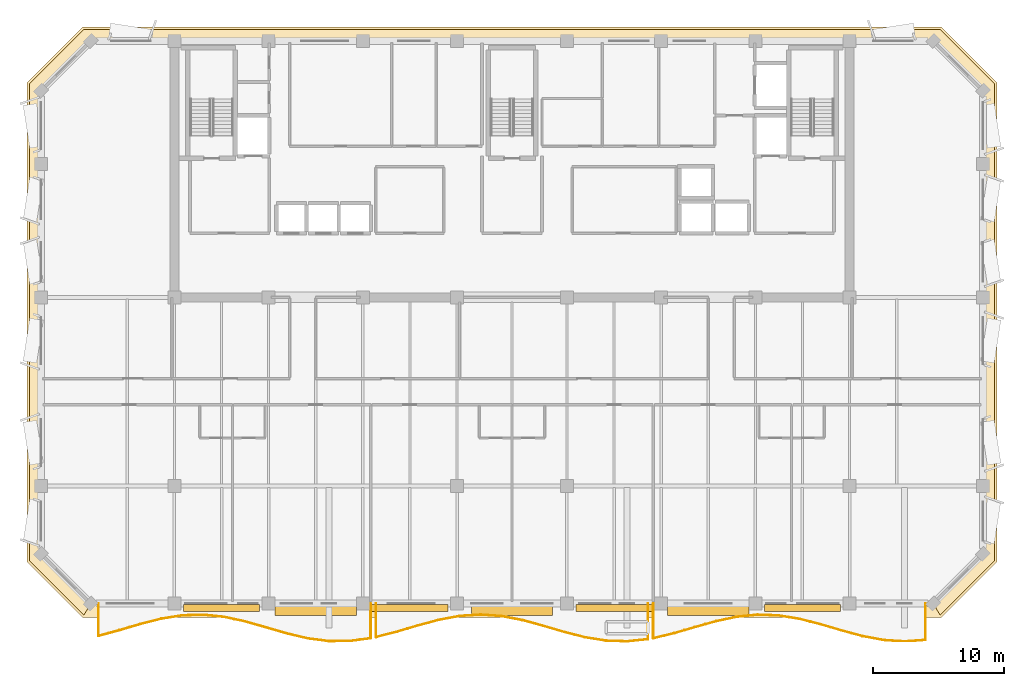
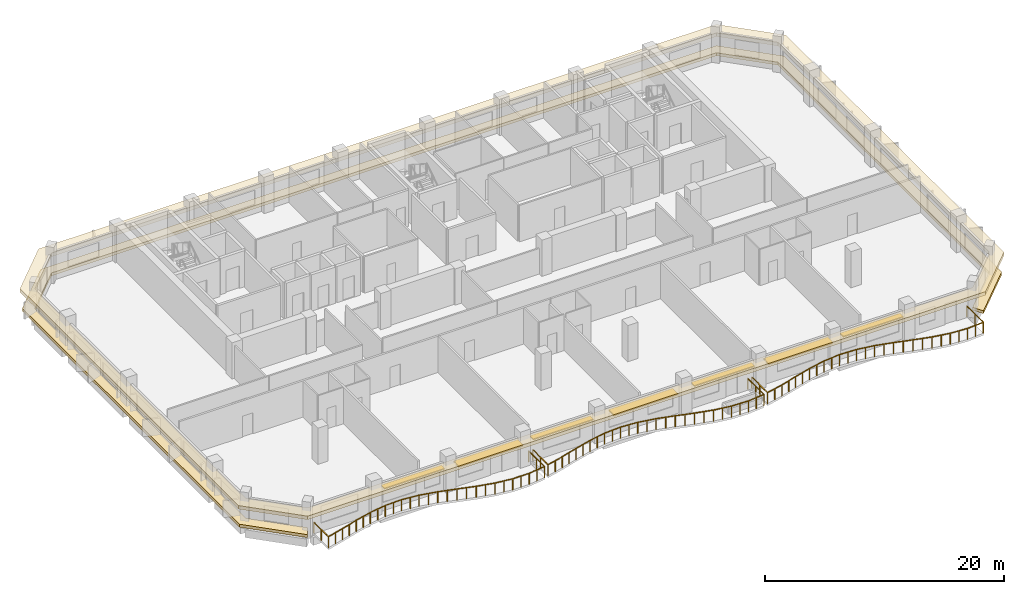
# One storey, part 8 of 10: 7 shading devices, 3 railings, 2 coverings.
"""IFC4 building model written with IfcOpenShell, lengths in metres."""

from ifc_helpers import new_model, si_unit, direction, frame, origin, origin_2d, place, context, subcontext, project, spatial, polyline, rectangle, outline, extrude, material, layer, layer_set, type_object, element, save


model = new_model("IFC4")

# Units and contexts
model_context = context("Model", 3, precision=1e-05, world=origin(), true_north=direction((0.0, 1.0)))
body_context = subcontext(model_context, "Body", "Model", "MODEL_VIEW")
ifc_project = project(units=[si_unit("LENGTHUNIT", "METRE"), si_unit("AREAUNIT", "SQUARE_METRE"), si_unit("VOLUMEUNIT", "CUBIC_METRE"), si_unit("PLANEANGLEUNIT", "RADIAN"), si_unit("MASSUNIT", "GRAM", prefix="KILO")], contexts=[model_context])

# Site, building, storey
site_placement = place(None, origin())
site = spatial("IfcSite", under=ifc_project, at=site_placement, CompositionType="ELEMENT")
building_placement = place(site_placement, origin())
building = spatial("IfcBuilding", under=site, at=building_placement, Name="Kaelvorn Grand Hotel", CompositionType="ELEMENT")
storey_placement = place(building_placement, frame((0.0, 0.0, 260.75)))
storey = spatial("IfcBuildingStorey", under=building, at=storey_placement, Name="L64", CompositionType="ELEMENT", Elevation=260.75)

# Coverings
ifc_material_1 = material(Name="Precast concrete C45/55", Category="concrete")
ifc_layer_1 = layer(ifc_material_1, 0.260009765625)
ifc_layer_set_1 = layer_set([ifc_layer_1], Name="Precast concrete C45/55")
covering_type_1 = type_object("IfcCoveringType", Name="COV-BAND-STREAMLINE-HEAD", PredefinedType="CLADDING", material=ifc_layer_set_1)
covering_1_placement = place(storey_placement, frame((0.0, 0.0, 2.419921875)))
element("IfcCovering", 1, at=covering_1_placement, inside=storey, type_object=covering_type_1, Name="L64 Streamline Moderne Wraparound Horizontal Eyebrow Band", PredefinedType="CLADDING", context=body_context, shape_type="SweptSolid", body=[
    extrude(outline(polyline([(9.18994140625, 4.949951171875), (74.81005859375, 4.949951171875), (79.050048828125, 9.18994140625), (79.050048828125, 45.81005859375), (74.81005859375, 50.050048828125), (9.18994140625, 50.050048828125), (4.949951171875, 45.81005859375), (4.949951171875, 9.18994140625), (9.18994140625, 4.949951171875)]), holes=[polyline([(9.820068359375, 6.030029296875), (74.179931640625, 6.030029296875), (77.969970703125, 9.820068359375), (77.969970703125, 45.179931640625), (74.179931640625, 48.969970703125), (9.820068359375, 48.969970703125), (6.030029296875, 45.179931640625), (6.030029296875, 9.820068359375), (9.820068359375, 6.030029296875)])]), origin(), (0.0, 0.0, 1.0), 0.360107421875),
])
ifc_layer_2 = layer(ifc_material_1, 0.219970703125)
ifc_layer_set_2 = layer_set([ifc_layer_2], Name="Precast concrete C45/55")
covering_type_2 = type_object("IfcCoveringType", Name="COV-BAND-STREAMLINE-SILL", PredefinedType="CLADDING", material=ifc_layer_set_2)
covering_2_placement = place(storey_placement, frame((0.0, 0.0, 0.449951171875)))
element("IfcCovering", 2, at=covering_2_placement, inside=storey, type_object=covering_type_2, Name="L64 Streamline Moderne Wraparound Horizontal Sill Spandrel Band", PredefinedType="CLADDING", context=body_context, shape_type="SweptSolid", body=[
    extrude(outline(polyline([(74.715576171875, 5.1201171875), (78.8798828125, 9.284423828125), (78.8798828125, 45.715576171875), (74.715576171875, 49.8798828125), (9.284423828125, 49.8798828125), (5.1201171875, 45.715576171875), (5.1201171875, 9.284423828125), (9.284423828125, 5.1201171875), (9.817626953125, 6.030029296875), (6.030029296875, 9.817626953125), (6.030029296875, 45.182373046875), (9.817626953125, 48.969970703125), (74.182373046875, 48.969970703125), (77.969970703125, 45.182373046875), (77.969970703125, 9.817626953125), (74.182373046875, 6.030029296875), (74.715576171875, 5.1201171875)])), origin(), (0.0, 0.0, 1.0), 0.300048828125),
])

# Railings
ifc_material_2 = material(Name="Stainless Steel", Category="steel")
railing_type = type_object("IfcRailingType", Name="RL-BALC-1150", PredefinedType="BALUSTRADE", material=ifc_material_2)
railing_1_placement = place(storey_placement, frame((10.39990234375, 6.0, 0.0)))
element("IfcRailing", 3, at=railing_1_placement, inside=storey, type_object=railing_type, Name="L64 Scalloped Wave Balcony Balustrade GR1-1", PredefinedType="BALUSTRADE", context=body_context, shape_type="SweptSolid", body=[
    extrude(rectangle(XDim=0.048095703125, YDim=0.048095703125, at=origin_2d()), frame((0.0, 0.0, 1.1259765625), z_axis=(0.0, -1.0, 0.0), x_axis=(1.0, 0.0, 0.0)), (0.0, 0.0, 1.0), 2.4775390625),
    extrude(rectangle(XDim=0.048095703125, YDim=0.048095703125, at=origin_2d()), frame((0.0, -2.4775390625, 1.1259765625), z_axis=(0.964780804406, 0.263055126255, 0.0), x_axis=(-0.263055126255, 0.964780804406, 0.0)), (0.0, 0.0, 1.0), 1.658447265625),
    extrude(rectangle(XDim=0.048095703125, YDim=0.048095703125, at=origin_2d()), frame((1.60009765625, -2.041259765625, 1.1259765625), z_axis=(0.959192869064, 0.282752612608, 0.0), x_axis=(-0.282752612608, 0.959192869064, 0.0)), (0.0, 0.0, 1.0), 1.668212890625),
    extrude(rectangle(XDim=0.048095703125, YDim=0.048095703125, at=origin_2d()), frame((3.2001953125, -1.569580078125, 1.1259765625), z_axis=(0.969204438811, 0.24625749895, 0.0), x_axis=(-0.24625749895, 0.969204438811, 0.0)), (0.0, 0.0, 1.0), 1.650634765625),
    extrude(rectangle(XDim=0.048095703125, YDim=0.048095703125, at=origin_2d()), frame((4.800048828125, -1.1630859375, 1.1259765625), z_axis=(0.987502610882, 0.157602644337, 0.0), x_axis=(-0.157602644337, 0.987502610882, 0.0)), (0.0, 0.0, 1.0), 1.620361328125),
    extrude(rectangle(XDim=0.048095703125, YDim=0.048095703125, at=origin_2d()), frame((6.400146484375, -0.90771484375, 1.1259765625), z_axis=(0.999525230254, 0.030810941021, 0.0), x_axis=(-0.030810941021, 0.999525230254, 0.0)), (0.0, 0.0, 1.0), 1.6005859375),
    extrude(rectangle(XDim=0.048095703125, YDim=0.048095703125, at=origin_2d()), frame((8.0, -0.8583984375, 1.1259765625), z_axis=(0.994613846753, -0.103649871427, 0.0), x_axis=(0.103649871427, 0.994613846753, 0.0)), (0.0, 0.0, 1.0), 1.608642578125),
    extrude(rectangle(XDim=0.048095703125, YDim=0.048095703125, at=origin_2d()), frame((9.60009765625, -1.025146484375, 1.1259765625), z_axis=(0.977200579572, -0.212318221744, 0.0), x_axis=(0.212318221744, 0.977200579572, 0.0)), (0.0, 0.0, 1.0), 1.637451171875),
    extrude(rectangle(XDim=0.048095703125, YDim=0.048095703125, at=origin_2d()), frame((11.2001953125, -1.372802734375, 1.1259765625), z_axis=(0.961921762904, -0.273324938582, 0.0), x_axis=(0.273324938582, 0.961921762904, 0.0)), (0.0, 0.0, 1.0), 1.6630859375),
    extrude(rectangle(XDim=0.048095703125, YDim=0.048095703125, at=origin_2d()), frame((12.800048828125, -1.827392578125, 1.1259765625), z_axis=(0.960337367156, -0.278840709444, 0.0), x_axis=(0.278840709444, 0.960337367156, 0.0)), (0.0, 0.0, 1.0), 1.666259765625),
    extrude(rectangle(XDim=0.048095703125, YDim=0.048095703125, at=origin_2d()), frame((14.400146484375, -2.2919921875, 1.1259765625), z_axis=(0.973512551729, -0.228633575021, 0.0), x_axis=(0.228633575021, 0.973512551729, 0.0)), (0.0, 0.0, 1.0), 1.643310546875),
    extrude(rectangle(XDim=0.048095703125, YDim=0.048095703125, at=origin_2d()), frame((16.0, -2.667724609375, 1.1259765625), z_axis=(0.991713934243, -0.12846584226, 0.0), x_axis=(0.12846584226, 0.991713934243, 0.0)), (0.0, 0.0, 1.0), 1.613525390625),
    extrude(rectangle(XDim=0.048095703125, YDim=0.048095703125, at=origin_2d()), frame((17.60009765625, -2.875, 1.1259765625), z_axis=(0.999994366234, 0.003356709804, 0.0), x_axis=(-0.003356709804, 0.999994366234, 0.0)), (0.0, 0.0, 1.0), 1.60009765625),
    extrude(rectangle(XDim=0.048095703125, YDim=0.048095703125, at=origin_2d()), frame((19.2001953125, -2.86962890625, 1.1259765625), z_axis=(0.990922872084, 0.134431624185, 0.0), x_axis=(-0.134431624185, 0.990922872084, 0.0)), (0.0, 0.0, 1.0), 1.614501953125),
    extrude(rectangle(XDim=0.048095703125, YDim=0.048095703125, at=origin_2d()), frame((20.800048828125, -2.652587890625, 1.1259765625), z_axis=(0.0, 1.0, 0.0), x_axis=(-1.0, 0.0, 0.0)), (0.0, 0.0, 1.0), 2.652587890625),
    extrude(rectangle(XDim=0.0419921875, YDim=0.0419921875, at=origin_2d()), origin(), (0.0, 0.0, 1.0), 1.101806640625),
    extrude(rectangle(XDim=0.0419921875, YDim=0.0419921875, at=origin_2d()), frame((0.0, -1.23876953125, 0.0)), (0.0, 0.0, 1.0), 1.101806640625),
    extrude(rectangle(XDim=0.0419921875, YDim=0.0419921875, at=origin_2d()), frame((0.0, -2.4775390625, 0.0)), (0.0, 0.0, 1.0), 1.101806640625),
    extrude(rectangle(XDim=0.0419921875, YDim=0.0419921875, at=origin_2d()), frame((0.800048828125, -2.25927734375, 0.0)), (0.0, 0.0, 1.0), 1.101806640625),
    extrude(rectangle(XDim=0.0419921875, YDim=0.0419921875, at=origin_2d()), frame((1.60009765625, -2.041259765625, 0.0)), (0.0, 0.0, 1.0), 1.101806640625),
    extrude(rectangle(XDim=0.0419921875, YDim=0.0419921875, at=origin_2d()), frame((2.400146484375, -1.805419921875, 0.0)), (0.0, 0.0, 1.0), 1.101806640625),
    extrude(rectangle(XDim=0.0419921875, YDim=0.0419921875, at=origin_2d()), frame((3.2001953125, -1.569580078125, 0.0)), (0.0, 0.0, 1.0), 1.101806640625),
    extrude(rectangle(XDim=0.0419921875, YDim=0.0419921875, at=origin_2d()), frame((4.0, -1.3662109375, 0.0)), (0.0, 0.0, 1.0), 1.101806640625),
    extrude(rectangle(XDim=0.0419921875, YDim=0.0419921875, at=origin_2d()), frame((4.800048828125, -1.1630859375, 0.0)), (0.0, 0.0, 1.0), 1.101806640625),
    extrude(rectangle(XDim=0.0419921875, YDim=0.0419921875, at=origin_2d()), frame((5.60009765625, -1.035400390625, 0.0)), (0.0, 0.0, 1.0), 1.101806640625),
    extrude(rectangle(XDim=0.0419921875, YDim=0.0419921875, at=origin_2d()), frame((6.400146484375, -0.90771484375, 0.0)), (0.0, 0.0, 1.0), 1.101806640625),
    extrude(rectangle(XDim=0.0419921875, YDim=0.0419921875, at=origin_2d()), frame((7.2001953125, -0.883056640625, 0.0)), (0.0, 0.0, 1.0), 1.101806640625),
    extrude(rectangle(XDim=0.0419921875, YDim=0.0419921875, at=origin_2d()), frame((8.0, -0.8583984375, 0.0)), (0.0, 0.0, 1.0), 1.101806640625),
    extrude(rectangle(XDim=0.0419921875, YDim=0.0419921875, at=origin_2d()), frame((8.800048828125, -0.94189453125, 0.0)), (0.0, 0.0, 1.0), 1.101806640625),
    extrude(rectangle(XDim=0.0419921875, YDim=0.0419921875, at=origin_2d()), frame((9.60009765625, -1.025146484375, 0.0)), (0.0, 0.0, 1.0), 1.101806640625),
    extrude(rectangle(XDim=0.0419921875, YDim=0.0419921875, at=origin_2d()), frame((10.400146484375, -1.198974609375, 0.0)), (0.0, 0.0, 1.0), 1.101806640625),
    extrude(rectangle(XDim=0.0419921875, YDim=0.0419921875, at=origin_2d()), frame((11.2001953125, -1.372802734375, 0.0)), (0.0, 0.0, 1.0), 1.101806640625),
    extrude(rectangle(XDim=0.0419921875, YDim=0.0419921875, at=origin_2d()), frame((12.0, -1.60009765625, 0.0)), (0.0, 0.0, 1.0), 1.101806640625),
    extrude(rectangle(XDim=0.0419921875, YDim=0.0419921875, at=origin_2d()), frame((12.800048828125, -1.827392578125, 0.0)), (0.0, 0.0, 1.0), 1.101806640625),
    extrude(rectangle(XDim=0.0419921875, YDim=0.0419921875, at=origin_2d()), frame((13.60009765625, -2.0595703125, 0.0)), (0.0, 0.0, 1.0), 1.101806640625),
    extrude(rectangle(XDim=0.0419921875, YDim=0.0419921875, at=origin_2d()), frame((14.400146484375, -2.2919921875, 0.0)), (0.0, 0.0, 1.0), 1.101806640625),
    extrude(rectangle(XDim=0.0419921875, YDim=0.0419921875, at=origin_2d()), frame((15.2001953125, -2.47998046875, 0.0)), (0.0, 0.0, 1.0), 1.101806640625),
    extrude(rectangle(XDim=0.0419921875, YDim=0.0419921875, at=origin_2d()), frame((16.0, -2.667724609375, 0.0)), (0.0, 0.0, 1.0), 1.101806640625),
    extrude(rectangle(XDim=0.0419921875, YDim=0.0419921875, at=origin_2d()), frame((16.800048828125, -2.771484375, 0.0)), (0.0, 0.0, 1.0), 1.101806640625),
    extrude(rectangle(XDim=0.0419921875, YDim=0.0419921875, at=origin_2d()), frame((17.60009765625, -2.875, 0.0)), (0.0, 0.0, 1.0), 1.101806640625),
    extrude(rectangle(XDim=0.0419921875, YDim=0.0419921875, at=origin_2d()), frame((18.400146484375, -2.872314453125, 0.0)), (0.0, 0.0, 1.0), 1.101806640625),
    extrude(rectangle(XDim=0.0419921875, YDim=0.0419921875, at=origin_2d()), frame((19.2001953125, -2.86962890625, 0.0)), (0.0, 0.0, 1.0), 1.101806640625),
    extrude(rectangle(XDim=0.0419921875, YDim=0.0419921875, at=origin_2d()), frame((20.0, -2.76123046875, 0.0)), (0.0, 0.0, 1.0), 1.101806640625),
    extrude(rectangle(XDim=0.0419921875, YDim=0.0419921875, at=origin_2d()), frame((20.800048828125, -2.652587890625, 0.0)), (0.0, 0.0, 1.0), 1.101806640625),
    extrude(rectangle(XDim=0.0419921875, YDim=0.0419921875, at=origin_2d()), frame((20.800048828125, -1.326171875, 0.0)), (0.0, 0.0, 1.0), 1.101806640625),
    extrude(rectangle(XDim=0.0419921875, YDim=0.0419921875, at=origin_2d()), frame((20.800048828125, 0.0, 0.0)), (0.0, 0.0, 1.0), 1.101806640625),
])
railing_2_placement = place(storey_placement, frame((31.60009765625, 6.0, 0.0)))
element("IfcRailing", 4, at=railing_2_placement, inside=storey, type_object=railing_type, Name="L64 Scalloped Wave Balcony Balustrade GR1-2", PredefinedType="BALUSTRADE", context=body_context, shape_type="SweptSolid", body=[
    extrude(rectangle(XDim=0.048095703125, YDim=0.048095703125, at=origin_2d()), frame((0.0, 0.0, 1.1259765625), z_axis=(0.0, -1.0, 0.0), x_axis=(1.0, 0.0, 0.0)), (0.0, 0.0, 1.0), 2.569580078125),
    extrude(rectangle(XDim=0.048095703125, YDim=0.048095703125, at=origin_2d()), frame((0.0, -2.569580078125, 1.1259765625), z_axis=(0.968387953871, 0.249448934249, 0.0), x_axis=(-0.249448934249, 0.968387953871, 0.0)), (0.0, 0.0, 1.0), 1.652099609375),
    extrude(rectangle(XDim=0.048095703125, YDim=0.048095703125, at=origin_2d()), frame((1.599853515625, -2.157470703125, 1.1259765625), z_axis=(0.959113452177, 0.283021882287, 0.0), x_axis=(-0.283021882287, 0.959113452177, 0.0)), (0.0, 0.0, 1.0), 1.668212890625),
    extrude(rectangle(XDim=0.048095703125, YDim=0.048095703125, at=origin_2d()), frame((3.199951171875, -1.685302734375, 1.1259765625), z_axis=(0.965440575101, 0.260623283588, 0.0), x_axis=(-0.260623283588, 0.965440575101, 0.0)), (0.0, 0.0, 1.0), 1.6572265625),
    extrude(rectangle(XDim=0.048095703125, YDim=0.048095703125, at=origin_2d()), frame((4.7998046875, -1.25341796875, 1.1259765625), z_axis=(0.982923083623, 0.184016878792, 0.0), x_axis=(-0.184016878792, 0.982923083623, 0.0)), (0.0, 0.0, 1.0), 1.6279296875),
    extrude(rectangle(XDim=0.048095703125, YDim=0.048095703125, at=origin_2d()), frame((6.39990234375, -0.953857421875, 1.1259765625), z_axis=(0.997904112488, 0.064709985933, 0.0), x_axis=(-0.064709985933, 0.997904112488, 0.0)), (0.0, 0.0, 1.0), 1.603515625),
    extrude(rectangle(XDim=0.048095703125, YDim=0.048095703125, at=origin_2d()), frame((8.0, -0.85009765625, 1.1259765625), z_axis=(0.997459472433, -0.071236232733, 0.0), x_axis=(0.071236232733, 0.997459472433, 0.0)), (0.0, 0.0, 1.0), 1.60400390625),
    extrude(rectangle(XDim=0.048095703125, YDim=0.048095703125, at=origin_2d()), frame((9.599853515625, -0.96435546875, 1.1259765625), z_axis=(0.981961535476, -0.189080783914, 0.0), x_axis=(0.189080783914, 0.981961535476, 0.0)), (0.0, 0.0, 1.0), 1.62939453125),
    extrude(rectangle(XDim=0.048095703125, YDim=0.048095703125, at=origin_2d()), frame((11.199951171875, -1.2724609375, 1.1259765625), z_axis=(0.964770615953, -0.26309249057, 0.0), x_axis=(0.26309249057, 0.964770615953, 0.0)), (0.0, 0.0, 1.0), 1.658203125),
    extrude(rectangle(XDim=0.048095703125, YDim=0.048095703125, at=origin_2d()), frame((12.7998046875, -1.708740234375, 1.1259765625), z_axis=(0.959192869064, -0.282752612608, 0.0), x_axis=(0.282752612608, 0.959192869064, 0.0)), (0.0, 0.0, 1.0), 1.668212890625),
    extrude(rectangle(XDim=0.048095703125, YDim=0.048095703125, at=origin_2d()), frame((14.39990234375, -2.180419921875, 1.1259765625), z_axis=(0.969213406092, -0.246222203409, 0.0), x_axis=(0.246222203409, 0.969213406092, 0.0)), (0.0, 0.0, 1.0), 1.65087890625),
    extrude(rectangle(XDim=0.048095703125, YDim=0.048095703125, at=origin_2d()), frame((16.0, -2.5869140625, 1.1259765625), z_axis=(0.987498867572, -0.157626097281, 0.0), x_axis=(0.157626097281, 0.987498867572, 0.0)), (0.0, 0.0, 1.0), 1.6201171875),
    extrude(rectangle(XDim=0.048095703125, YDim=0.048095703125, at=origin_2d()), frame((17.599853515625, -2.84228515625, 1.1259765625), z_axis=(0.999525375019, -0.030806244393, 0.0), x_axis=(0.030806244393, 0.999525375019, 0.0)), (0.0, 0.0, 1.0), 1.600830078125),
    extrude(rectangle(XDim=0.048095703125, YDim=0.048095703125, at=origin_2d()), frame((19.199951171875, -2.8916015625, 1.1259765625), z_axis=(0.994612216016, 0.103665518623, 0.0), x_axis=(-0.103665518623, 0.994612216016, 0.0)), (0.0, 0.0, 1.0), 1.6083984375),
    extrude(rectangle(XDim=0.048095703125, YDim=0.048095703125, at=origin_2d()), frame((20.7998046875, -2.724853515625, 1.1259765625), z_axis=(0.0, 1.0, 0.0), x_axis=(-1.0, 0.0, 0.0)), (0.0, 0.0, 1.0), 2.724853515625),
    extrude(rectangle(XDim=0.0419921875, YDim=0.0419921875, at=origin_2d()), origin(), (0.0, 0.0, 1.0), 1.101806640625),
    extrude(rectangle(XDim=0.0419921875, YDim=0.0419921875, at=origin_2d()), frame((0.0, -1.28466796875, 0.0)), (0.0, 0.0, 1.0), 1.101806640625),
    extrude(rectangle(XDim=0.0419921875, YDim=0.0419921875, at=origin_2d()), frame((0.0, -2.569580078125, 0.0)), (0.0, 0.0, 1.0), 1.101806640625),
    extrude(rectangle(XDim=0.0419921875, YDim=0.0419921875, at=origin_2d()), frame((0.7998046875, -2.363525390625, 0.0)), (0.0, 0.0, 1.0), 1.101806640625),
    extrude(rectangle(XDim=0.0419921875, YDim=0.0419921875, at=origin_2d()), frame((1.599853515625, -2.157470703125, 0.0)), (0.0, 0.0, 1.0), 1.101806640625),
    extrude(rectangle(XDim=0.0419921875, YDim=0.0419921875, at=origin_2d()), frame((2.39990234375, -1.92138671875, 0.0)), (0.0, 0.0, 1.0), 1.101806640625),
    extrude(rectangle(XDim=0.0419921875, YDim=0.0419921875, at=origin_2d()), frame((3.199951171875, -1.685302734375, 0.0)), (0.0, 0.0, 1.0), 1.101806640625),
    extrude(rectangle(XDim=0.0419921875, YDim=0.0419921875, at=origin_2d()), frame((4.0, -1.46923828125, 0.0)), (0.0, 0.0, 1.0), 1.101806640625),
    extrude(rectangle(XDim=0.0419921875, YDim=0.0419921875, at=origin_2d()), frame((4.7998046875, -1.25341796875, 0.0)), (0.0, 0.0, 1.0), 1.101806640625),
    extrude(rectangle(XDim=0.0419921875, YDim=0.0419921875, at=origin_2d()), frame((5.599853515625, -1.103515625, 0.0)), (0.0, 0.0, 1.0), 1.101806640625),
    extrude(rectangle(XDim=0.0419921875, YDim=0.0419921875, at=origin_2d()), frame((6.39990234375, -0.953857421875, 0.0)), (0.0, 0.0, 1.0), 1.101806640625),
    extrude(rectangle(XDim=0.0419921875, YDim=0.0419921875, at=origin_2d()), frame((7.199951171875, -0.90185546875, 0.0)), (0.0, 0.0, 1.0), 1.101806640625),
    extrude(rectangle(XDim=0.0419921875, YDim=0.0419921875, at=origin_2d()), frame((8.0, -0.85009765625, 0.0)), (0.0, 0.0, 1.0), 1.101806640625),
    extrude(rectangle(XDim=0.0419921875, YDim=0.0419921875, at=origin_2d()), frame((8.7998046875, -0.9072265625, 0.0)), (0.0, 0.0, 1.0), 1.101806640625),
    extrude(rectangle(XDim=0.0419921875, YDim=0.0419921875, at=origin_2d()), frame((9.599853515625, -0.96435546875, 0.0)), (0.0, 0.0, 1.0), 1.101806640625),
    extrude(rectangle(XDim=0.0419921875, YDim=0.0419921875, at=origin_2d()), frame((10.39990234375, -1.118408203125, 0.0)), (0.0, 0.0, 1.0), 1.101806640625),
    extrude(rectangle(XDim=0.0419921875, YDim=0.0419921875, at=origin_2d()), frame((11.199951171875, -1.2724609375, 0.0)), (0.0, 0.0, 1.0), 1.101806640625),
    extrude(rectangle(XDim=0.0419921875, YDim=0.0419921875, at=origin_2d()), frame((12.0, -1.49072265625, 0.0)), (0.0, 0.0, 1.0), 1.101806640625),
    extrude(rectangle(XDim=0.0419921875, YDim=0.0419921875, at=origin_2d()), frame((12.7998046875, -1.708740234375, 0.0)), (0.0, 0.0, 1.0), 1.101806640625),
    extrude(rectangle(XDim=0.0419921875, YDim=0.0419921875, at=origin_2d()), frame((13.599853515625, -1.944580078125, 0.0)), (0.0, 0.0, 1.0), 1.101806640625),
    extrude(rectangle(XDim=0.0419921875, YDim=0.0419921875, at=origin_2d()), frame((14.39990234375, -2.180419921875, 0.0)), (0.0, 0.0, 1.0), 1.101806640625),
    extrude(rectangle(XDim=0.0419921875, YDim=0.0419921875, at=origin_2d()), frame((15.199951171875, -2.3837890625, 0.0)), (0.0, 0.0, 1.0), 1.101806640625),
    extrude(rectangle(XDim=0.0419921875, YDim=0.0419921875, at=origin_2d()), frame((16.0, -2.5869140625, 0.0)), (0.0, 0.0, 1.0), 1.101806640625),
    extrude(rectangle(XDim=0.0419921875, YDim=0.0419921875, at=origin_2d()), frame((16.7998046875, -2.714599609375, 0.0)), (0.0, 0.0, 1.0), 1.101806640625),
    extrude(rectangle(XDim=0.0419921875, YDim=0.0419921875, at=origin_2d()), frame((17.599853515625, -2.84228515625, 0.0)), (0.0, 0.0, 1.0), 1.101806640625),
    extrude(rectangle(XDim=0.0419921875, YDim=0.0419921875, at=origin_2d()), frame((18.39990234375, -2.866943359375, 0.0)), (0.0, 0.0, 1.0), 1.101806640625),
    extrude(rectangle(XDim=0.0419921875, YDim=0.0419921875, at=origin_2d()), frame((19.199951171875, -2.8916015625, 0.0)), (0.0, 0.0, 1.0), 1.101806640625),
    extrude(rectangle(XDim=0.0419921875, YDim=0.0419921875, at=origin_2d()), frame((20.0, -2.80810546875, 0.0)), (0.0, 0.0, 1.0), 1.101806640625),
    extrude(rectangle(XDim=0.0419921875, YDim=0.0419921875, at=origin_2d()), frame((20.7998046875, -2.724853515625, 0.0)), (0.0, 0.0, 1.0), 1.101806640625),
    extrude(rectangle(XDim=0.0419921875, YDim=0.0419921875, at=origin_2d()), frame((20.7998046875, -1.3623046875, 0.0)), (0.0, 0.0, 1.0), 1.101806640625),
    extrude(rectangle(XDim=0.0419921875, YDim=0.0419921875, at=origin_2d()), frame((20.7998046875, 0.0, 0.0)), (0.0, 0.0, 1.0), 1.101806640625),
])
railing_3_placement = place(storey_placement, frame((52.800048828125, 6.0, 0.0)))
element("IfcRailing", 5, at=railing_3_placement, inside=storey, type_object=railing_type, Name="L64 Scalloped Wave Balcony Balustrade GR1-3", PredefinedType="BALUSTRADE", context=body_context, shape_type="SweptSolid", body=[
    extrude(rectangle(XDim=0.048095703125, YDim=0.048095703125, at=origin_2d()), frame((0.0, 0.0, 1.1259765625), z_axis=(0.0, -1.0, 0.0), x_axis=(1.0, 0.0, 0.0)), (0.0, 0.0, 1.0), 2.652587890625),
    extrude(rectangle(XDim=0.048095703125, YDim=0.048095703125, at=origin_2d()), frame((0.0, -2.652587890625, 1.1259765625), z_axis=(0.972579621463, 0.232570161275, 0.0), x_axis=(-0.232570161275, 0.972579621463, 0.0)), (0.0, 0.0, 1.0), 1.64501953125),
    extrude(rectangle(XDim=0.048095703125, YDim=0.048095703125, at=origin_2d()), frame((1.599853515625, -2.27001953125, 1.1259765625), z_axis=(0.960022964668, 0.279921251981, 0.0), x_axis=(-0.279921251981, 0.960022964668, 0.0)), (0.0, 0.0, 1.0), 1.666748046875),
    extrude(rectangle(XDim=0.048095703125, YDim=0.048095703125, at=origin_2d()), frame((3.199951171875, -1.803466796875, 1.1259765625), z_axis=(0.962471316232, 0.271383428806, 0.0), x_axis=(-0.271383428806, 0.962471316232, 0.0)), (0.0, 0.0, 1.0), 1.66259765625),
    extrude(rectangle(XDim=0.048095703125, YDim=0.048095703125, at=origin_2d()), frame((4.800048828125, -1.352294921875, 1.1259765625), z_axis=(0.97814405344, 0.207928378825, 0.0), x_axis=(-0.207928378825, 0.97814405344, 0.0)), (0.0, 0.0, 1.0), 1.635498046875),
    extrude(rectangle(XDim=0.048095703125, YDim=0.048095703125, at=origin_2d()), frame((6.39990234375, -1.01220703125, 1.1259765625), z_axis=(0.995251339564, 0.097338435865, 0.0), x_axis=(-0.097338435865, 0.995251339564, 0.0)), (0.0, 0.0, 1.0), 1.607666015625),
    extrude(rectangle(XDim=0.048095703125, YDim=0.048095703125, at=origin_2d()), frame((8.0, -0.855712890625, 1.1259765625), z_axis=(0.999290387736, -0.037665912677, 0.0), x_axis=(0.037665912677, 0.999290387736, 0.0)), (0.0, 0.0, 1.0), 1.60107421875),
    extrude(rectangle(XDim=0.048095703125, YDim=0.048095703125, at=origin_2d()), frame((9.599853515625, -0.916015625, 1.1259765625), z_axis=(0.986620816631, -0.163031788894, 0.0), x_axis=(0.163031788894, 0.986620816631, 0.0)), (0.0, 0.0, 1.0), 1.621826171875),
    extrude(rectangle(XDim=0.048095703125, YDim=0.048095703125, at=origin_2d()), frame((11.199951171875, -1.180419921875, 1.1259765625), z_axis=(0.968397147337, -0.249413241487, 0.0), x_axis=(0.249413241487, 0.968397147337, 0.0)), (0.0, 0.0, 1.0), 1.65234375),
    extrude(rectangle(XDim=0.048095703125, YDim=0.048095703125, at=origin_2d()), frame((12.800048828125, -1.592529296875, 1.1259765625), z_axis=(0.959101727658, -0.283061611673, 0.0), x_axis=(0.283061611673, 0.959101727658, 0.0)), (0.0, 0.0, 1.0), 1.66796875),
    extrude(rectangle(XDim=0.048095703125, YDim=0.048095703125, at=origin_2d()), frame((14.39990234375, -2.064697265625, 1.1259765625), z_axis=(0.965450580149, -0.260586218536, 0.0), x_axis=(0.260586218536, 0.965450580149, 0.0)), (0.0, 0.0, 1.0), 1.657470703125),
    extrude(rectangle(XDim=0.048095703125, YDim=0.048095703125, at=origin_2d()), frame((16.0, -2.49658203125, 1.1259765625), z_axis=(0.982918004082, -0.184044009005, 0.0), x_axis=(0.184044009005, 0.982918004082, 0.0)), (0.0, 0.0, 1.0), 1.627685546875),
    extrude(rectangle(XDim=0.048095703125, YDim=0.048095703125, at=origin_2d()), frame((17.599853515625, -2.796142578125, 1.1259765625), z_axis=(0.997904112488, -0.064709985933, 0.0), x_axis=(0.064709985933, 0.997904112488, 0.0)), (0.0, 0.0, 1.0), 1.603515625),
    extrude(rectangle(XDim=0.048095703125, YDim=0.048095703125, at=origin_2d()), frame((19.199951171875, -2.89990234375, 1.1259765625), z_axis=(0.997460244683, 0.071225418754, 0.0), x_axis=(-0.071225418754, 0.997460244683, 0.0)), (0.0, 0.0, 1.0), 1.604248046875),
    extrude(rectangle(XDim=0.048095703125, YDim=0.048095703125, at=origin_2d()), frame((20.800048828125, -2.78564453125, 1.1259765625), z_axis=(0.0, 1.0, 0.0), x_axis=(-1.0, 0.0, 0.0)), (0.0, 0.0, 1.0), 2.78564453125),
    extrude(rectangle(XDim=0.0419921875, YDim=0.0419921875, at=origin_2d()), origin(), (0.0, 0.0, 1.0), 1.101806640625),
    extrude(rectangle(XDim=0.0419921875, YDim=0.0419921875, at=origin_2d()), frame((0.0, -1.326171875, 0.0)), (0.0, 0.0, 1.0), 1.101806640625),
    extrude(rectangle(XDim=0.0419921875, YDim=0.0419921875, at=origin_2d()), frame((0.0, -2.652587890625, 0.0)), (0.0, 0.0, 1.0), 1.101806640625),
    extrude(rectangle(XDim=0.0419921875, YDim=0.0419921875, at=origin_2d()), frame((0.7998046875, -2.46142578125, 0.0)), (0.0, 0.0, 1.0), 1.101806640625),
    extrude(rectangle(XDim=0.0419921875, YDim=0.0419921875, at=origin_2d()), frame((1.599853515625, -2.27001953125, 0.0)), (0.0, 0.0, 1.0), 1.101806640625),
    extrude(rectangle(XDim=0.0419921875, YDim=0.0419921875, at=origin_2d()), frame((2.39990234375, -2.03662109375, 0.0)), (0.0, 0.0, 1.0), 1.101806640625),
    extrude(rectangle(XDim=0.0419921875, YDim=0.0419921875, at=origin_2d()), frame((3.199951171875, -1.803466796875, 0.0)), (0.0, 0.0, 1.0), 1.101806640625),
    extrude(rectangle(XDim=0.0419921875, YDim=0.0419921875, at=origin_2d()), frame((4.0, -1.577880859375, 0.0)), (0.0, 0.0, 1.0), 1.101806640625),
    extrude(rectangle(XDim=0.0419921875, YDim=0.0419921875, at=origin_2d()), frame((4.800048828125, -1.352294921875, 0.0)), (0.0, 0.0, 1.0), 1.101806640625),
    extrude(rectangle(XDim=0.0419921875, YDim=0.0419921875, at=origin_2d()), frame((5.60009765625, -1.18212890625, 0.0)), (0.0, 0.0, 1.0), 1.101806640625),
    extrude(rectangle(XDim=0.0419921875, YDim=0.0419921875, at=origin_2d()), frame((6.39990234375, -1.01220703125, 0.0)), (0.0, 0.0, 1.0), 1.101806640625),
    extrude(rectangle(XDim=0.0419921875, YDim=0.0419921875, at=origin_2d()), frame((7.199951171875, -0.93408203125, 0.0)), (0.0, 0.0, 1.0), 1.101806640625),
    extrude(rectangle(XDim=0.0419921875, YDim=0.0419921875, at=origin_2d()), frame((8.0, -0.855712890625, 0.0)), (0.0, 0.0, 1.0), 1.101806640625),
    extrude(rectangle(XDim=0.0419921875, YDim=0.0419921875, at=origin_2d()), frame((8.7998046875, -0.8857421875, 0.0)), (0.0, 0.0, 1.0), 1.101806640625),
    extrude(rectangle(XDim=0.0419921875, YDim=0.0419921875, at=origin_2d()), frame((9.599853515625, -0.916015625, 0.0)), (0.0, 0.0, 1.0), 1.101806640625),
    extrude(rectangle(XDim=0.0419921875, YDim=0.0419921875, at=origin_2d()), frame((10.39990234375, -1.04833984375, 0.0)), (0.0, 0.0, 1.0), 1.101806640625),
    extrude(rectangle(XDim=0.0419921875, YDim=0.0419921875, at=origin_2d()), frame((11.199951171875, -1.180419921875, 0.0)), (0.0, 0.0, 1.0), 1.101806640625),
    extrude(rectangle(XDim=0.0419921875, YDim=0.0419921875, at=origin_2d()), frame((12.0, -1.386474609375, 0.0)), (0.0, 0.0, 1.0), 1.101806640625),
    extrude(rectangle(XDim=0.0419921875, YDim=0.0419921875, at=origin_2d()), frame((12.800048828125, -1.592529296875, 0.0)), (0.0, 0.0, 1.0), 1.101806640625),
    extrude(rectangle(XDim=0.0419921875, YDim=0.0419921875, at=origin_2d()), frame((13.60009765625, -1.82861328125, 0.0)), (0.0, 0.0, 1.0), 1.101806640625),
    extrude(rectangle(XDim=0.0419921875, YDim=0.0419921875, at=origin_2d()), frame((14.39990234375, -2.064697265625, 0.0)), (0.0, 0.0, 1.0), 1.101806640625),
    extrude(rectangle(XDim=0.0419921875, YDim=0.0419921875, at=origin_2d()), frame((15.199951171875, -2.28076171875, 0.0)), (0.0, 0.0, 1.0), 1.101806640625),
    extrude(rectangle(XDim=0.0419921875, YDim=0.0419921875, at=origin_2d()), frame((16.0, -2.49658203125, 0.0)), (0.0, 0.0, 1.0), 1.101806640625),
    extrude(rectangle(XDim=0.0419921875, YDim=0.0419921875, at=origin_2d()), frame((16.7998046875, -2.646484375, 0.0)), (0.0, 0.0, 1.0), 1.101806640625),
    extrude(rectangle(XDim=0.0419921875, YDim=0.0419921875, at=origin_2d()), frame((17.599853515625, -2.796142578125, 0.0)), (0.0, 0.0, 1.0), 1.101806640625),
    extrude(rectangle(XDim=0.0419921875, YDim=0.0419921875, at=origin_2d()), frame((18.39990234375, -2.84814453125, 0.0)), (0.0, 0.0, 1.0), 1.101806640625),
    extrude(rectangle(XDim=0.0419921875, YDim=0.0419921875, at=origin_2d()), frame((19.199951171875, -2.89990234375, 0.0)), (0.0, 0.0, 1.0), 1.101806640625),
    extrude(rectangle(XDim=0.0419921875, YDim=0.0419921875, at=origin_2d()), frame((20.0, -2.8427734375, 0.0)), (0.0, 0.0, 1.0), 1.101806640625),
    extrude(rectangle(XDim=0.0419921875, YDim=0.0419921875, at=origin_2d()), frame((20.800048828125, -2.78564453125, 0.0)), (0.0, 0.0, 1.0), 1.101806640625),
    extrude(rectangle(XDim=0.0419921875, YDim=0.0419921875, at=origin_2d()), frame((20.800048828125, -1.392822265625, 0.0)), (0.0, 0.0, 1.0), 1.101806640625),
    extrude(rectangle(XDim=0.0419921875, YDim=0.0419921875, at=origin_2d()), frame((20.800048828125, 0.0, 0.0)), (0.0, 0.0, 1.0), 1.101806640625),
])

# Shading devices
ifc_layer_3 = layer(ifc_material_1, 0.1201171875)
ifc_layer_set_3 = layer_set([ifc_layer_3], Name="Precast concrete C45/55")
shading_device_type_1 = type_object("IfcShadingDeviceType", Name="SHD-SUNSHADE-550", PredefinedType="USERDEFINED", material=ifc_layer_set_3)
for number, where, z_axis, x_axis, name in (
    (6, (19.800048828125, 5.655029296875, 2.56005859375), (0.0, 0.0, 1.0), (1.0, 0.0, 0.0), "L64 Horizontal Concrete Sunshade Band SS-03"),
    (7, (34.199951171875, 5.655029296875, 2.56005859375), (0.0, 0.0, 1.0), (1.0, 0.0, 0.0), "L64 Horizontal Concrete Sunshade Band SS-05"),
    (8, (49.800048828125, 5.655029296875, 2.56005859375), (0.0, 0.0, 1.0), (1.0, 0.0, 0.0), "L64 Horizontal Concrete Sunshade Band SS-07"),
    (9, (64.199951171875, 5.655029296875, 2.56005859375), (0.0, 0.0, 1.0), (1.0, 0.0, 0.0), "L64 Horizontal Concrete Sunshade Band SS-09"),
):
    element("IfcShadingDevice", number, at=place(storey_placement, frame(where, z_axis=z_axis, x_axis=x_axis)), inside=storey, type_object=shading_device_type_1, Name=name, ObjectType="SUNSHADE", PredefinedType="USERDEFINED", context=body_context, shape_type="SweptSolid", body=[
        extrude(rectangle(XDim=5.800048828125, YDim=0.550048828125, at=origin_2d()), origin(), (0.0, 0.0, 1.0), 0.1201171875),
    ])
ifc_layer_4 = layer(ifc_material_1, 0.139892578125)
ifc_layer_set_4 = layer_set([ifc_layer_4], Name="Precast concrete C45/55")
shading_device_type_2 = type_object("IfcShadingDeviceType", Name="SHD-SUNSHADE-850", PredefinedType="USERDEFINED", material=ifc_layer_set_4)
for number, where, z_axis, x_axis, name in (
    (10, (27.0, 5.5048828125, 2.55029296875), (0.0, 0.0, 1.0), (1.0, 0.0, 0.0), "L64 Horizontal Concrete Sunshade Band SS-04"),
    (11, (42.0, 5.5048828125, 2.55029296875), (0.0, 0.0, 1.0), (1.0, 0.0, 0.0), "L64 Horizontal Concrete Sunshade Band SS-06"),
    (12, (57.0, 5.5048828125, 2.55029296875), (0.0, 0.0, 1.0), (1.0, 0.0, 0.0), "L64 Horizontal Concrete Sunshade Band SS-08"),
):
    element("IfcShadingDevice", number, at=place(storey_placement, frame(where, z_axis=z_axis, x_axis=x_axis)), inside=storey, type_object=shading_device_type_2, Name=name, ObjectType="SUNSHADE", PredefinedType="USERDEFINED", context=body_context, shape_type="SweptSolid", body=[
        extrude(rectangle(XDim=6.199951171875, YDim=0.85009765625, at=origin_2d()), origin(), (0.0, 0.0, 1.0), 0.139892578125),
    ])

save(model, "model.ifc")
